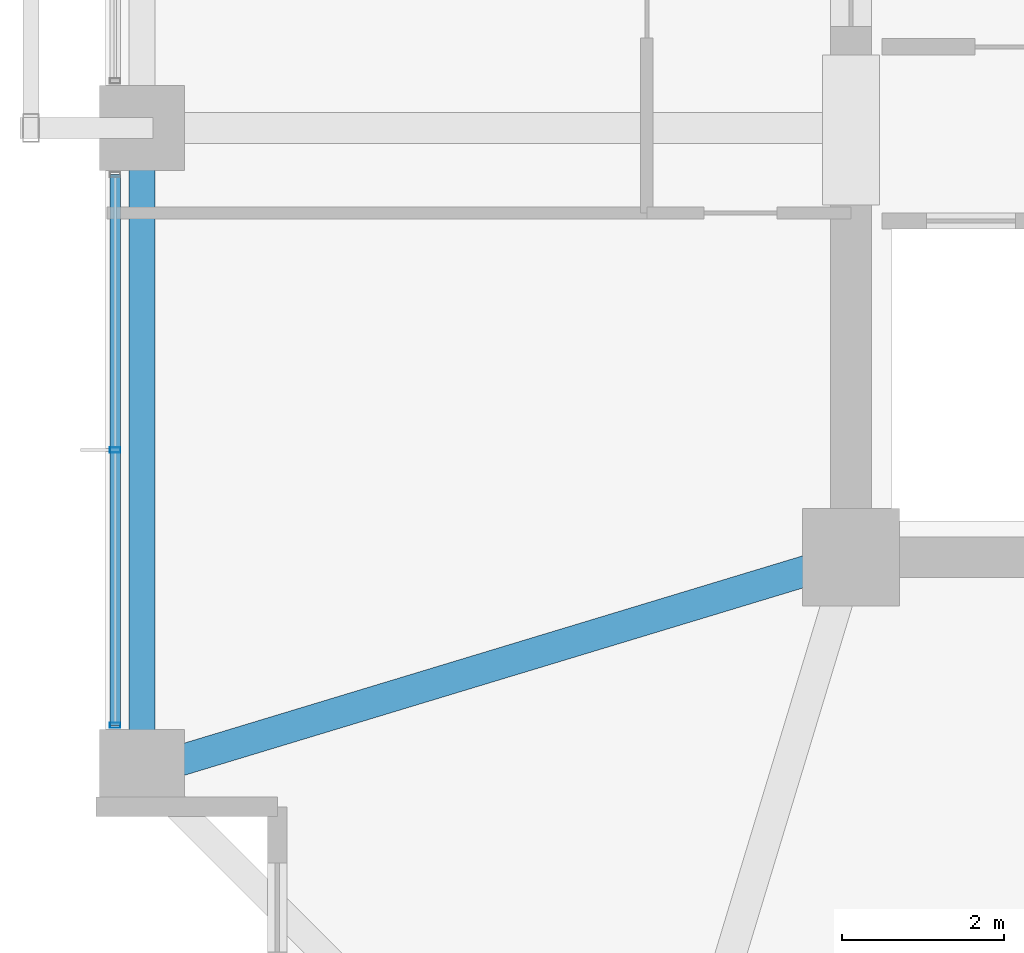
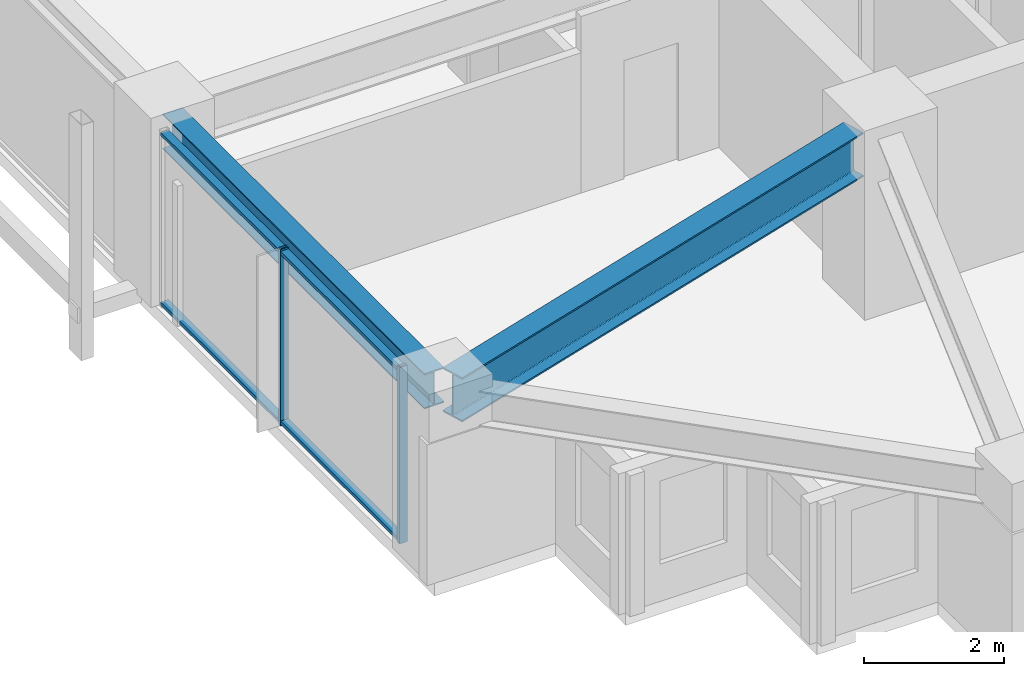
# One storey, part 3 of 34: 4 members, 2 beams, 1 element without a shape of its own.
"""IFC4 building model written with IfcOpenShell, lengths in metres."""

from ifc_helpers import new_model, si_unit, direction, frame, origin, origin_2d, place, context, subcontext, project, spatial, hollow_rectangle, i_section, extrude, material, material_profile, profile_set, type_object, element, aggregate, save


model = new_model("IFC4")

# Units and contexts
model_context = context("Model", 3, precision=1e-05, world=origin(), true_north=direction((0.0, 1.0)))
body_context = subcontext(model_context, "Body", "Model", "MODEL_VIEW")
ifc_project = project(units=[si_unit("LENGTHUNIT", "METRE"), si_unit("AREAUNIT", "SQUARE_METRE"), si_unit("VOLUMEUNIT", "CUBIC_METRE"), si_unit("PLANEANGLEUNIT", "RADIAN"), si_unit("MASSUNIT", "GRAM", prefix="KILO")], contexts=[model_context])

# Site, building, storey
site_placement = place(None, origin())
site = spatial("IfcSite", under=ifc_project, at=site_placement, CompositionType="ELEMENT")
building_placement = place(site_placement, origin())
building = spatial("IfcBuilding", under=site, at=building_placement, Name="Kolvaren Belvedere", CompositionType="ELEMENT")
storey_placement = place(building_placement, frame((0.0, 0.0, 111.800048828125)))
storey = spatial("IfcBuildingStorey", under=building, at=storey_placement, Name="L32", CompositionType="ELEMENT", Elevation=111.800048828125)

# Beams
ifc_material_1 = material(Name="Structural steel ASTM A992 Grade 50", Category="steel")
ifc_material_profile_1 = material_profile(ifc_material_1, i_section(OverallWidth=0.381103515625, OverallDepth=0.77294921875, WebThickness=0.0166015625, FlangeThickness=0.027099609375, FilletRadius=0.02392578125, at=origin_2d()), Name="W30X173")
ifc_profile_set_1 = profile_set([ifc_material_profile_1], Name="Structural steel ASTM A992 Grade 50")
beam_type_1 = type_object("IfcBeamType", Name="BM-GIRD-W30X173", PredefinedType="BEAM", material=ifc_profile_set_1)
beam_1_placement = place(storey_placement, frame((-10.426513671875, -10.059326171875, 2.693359375), z_axis=(-0.957069465398, -0.289858652454, 0.0), x_axis=(0.289858652454, -0.957069465398, 0.0)))
element("IfcBeam", 1, at=beam_1_placement, inside=storey, type_object=beam_type_1, Name="L32 Corner Core-to-Perimeter Girder CC1-W1", PredefinedType="BEAM", context=body_context, shape_type="SweptSolid", body=[
    extrude(i_section(OverallWidth=0.381103515625, OverallDepth=0.77294921875, WebThickness=0.0166015625, FlangeThickness=0.027099609375, FilletRadius=0.02392578125, at=origin_2d()), origin(), (0.0, 0.0, 1.0), 8.38232421875),
])
ifc_material_2 = material(Name="Structural steel ASTM A992 Grade 50", Category="steel")
ifc_material_profile_2 = material_profile(ifc_material_2, i_section(OverallWidth=0.324951171875, OverallDepth=0.615966796875, WebThickness=0.013916015625, FlangeThickness=0.021484375, FilletRadius=0.02001953125, at=origin_2d()), Name="W24X117")
ifc_profile_set_2 = profile_set([ifc_material_profile_2], Name="Structural steel ASTM A992 Grade 50")
beam_type_2 = type_object("IfcBeamType", Name="BM-SPAN-W24X117", PredefinedType="SPANDREL", material=ifc_profile_set_2)
beam_2_placement = place(storey_placement, frame((-18.64990234375, -4.836181640625, 2.77197265625), z_axis=(0.0, -1.0, 0.0), x_axis=(1.0, 0.0, 0.0)))
element("IfcBeam", 2, at=beam_2_placement, inside=storey, type_object=beam_type_2, Name="L32 Perimeter Spandrel W2-W1", PredefinedType="SPANDREL", context=body_context, shape_type="SweptSolid", body=[
    extrude(i_section(OverallWidth=0.324951171875, OverallDepth=0.615966796875, WebThickness=0.013916015625, FlangeThickness=0.021484375, FilletRadius=0.02001953125, at=origin_2d()), origin(), (0.0, 0.0, 1.0), 7.4775390625),
])

# Curtain wall, members
ifc_material_3 = material(Name="Anodised pale-metal aluminium AA 6063-T6", Category="aluminium")
curtain_wall_type = type_object("IfcCurtainWallType", Name="CW-Z3-WAIST", PredefinedType="NOTDEFINED", material=ifc_material_3)
curtain_wall_placement = place(storey_placement, origin())
curtain_wall = element("IfcCurtainWall", 3, at=curtain_wall_placement, inside=storey, type_object=curtain_wall_type, Name="L32 Unitised Curtain Wall FCW-L32-W-B1", PredefinedType="NOTDEFINED")
ifc_material_4 = material(Name="Anodised pale-metal aluminium AA 6063-T6", Category="aluminium")
ifc_material_profile_3 = material_profile(ifc_material_4, hollow_rectangle(XDim=0.06494140625, YDim=0.1298828125, WallThickness=0.00390625, at=origin_2d()), Name="ALU-MUL-130X65")
ifc_profile_set_3 = profile_set([ifc_material_profile_3], Name="Anodised pale-metal aluminium AA 6063-T6")
member_type_1 = type_object("IfcMemberType", Name="CW-MUL-130", PredefinedType="MULLION", material=ifc_profile_set_3)
member_1_placement = place(storey_placement, frame((-18.97998046875, -11.972412109375, 0.0), z_axis=(0.0, 0.0, 1.0), x_axis=(0.0, 1.0, 0.0)))
member_1 = element("IfcMember", 4, at=member_1_placement, type_object=member_type_1, Name="FCW-L32-W-B1 Unitised Mullion 1", PredefinedType="MULLION", context=body_context, shape_type="SweptSolid", body=[
    extrude(hollow_rectangle(XDim=0.06494140625, YDim=0.1298828125, WallThickness=0.00390625, at=origin_2d()), origin(), (0.0, 0.0, 1.0), 3.079833984375),
])
member_2_placement = place(storey_placement, frame((-18.97998046875, -8.574951171875, 0.0), z_axis=(0.0, 0.0, 1.0), x_axis=(0.0, 1.0, 0.0)))
member_2 = element("IfcMember", 5, at=member_2_placement, type_object=member_type_1, Name="FCW-L32-W-B1 Unitised Mullion 2", PredefinedType="MULLION", context=body_context, shape_type="SweptSolid", body=[
    extrude(hollow_rectangle(XDim=0.06494140625, YDim=0.1298828125, WallThickness=0.00390625, at=origin_2d()), origin(), (0.0, 0.0, 1.0), 3.079833984375),
])
ifc_material_5 = material(Name="Anodised pale-metal aluminium AA 6063-T6", Category="aluminium")
ifc_material_profile_4 = material_profile(ifc_material_5, hollow_rectangle(XDim=0.06005859375, YDim=0.1298828125, WallThickness=0.00390625, at=origin_2d()), Name="ALU-TRN-130X60")
ifc_profile_set_4 = profile_set([ifc_material_profile_4], Name="Anodised pale-metal aluminium AA 6063-T6")
member_type_2 = type_object("IfcMemberType", Name="CW-TRN-130", PredefinedType="USERDEFINED", material=ifc_profile_set_4)
member_3_placement = place(storey_placement, frame((-18.97998046875, -11.972412109375, 0.06005859375), z_axis=(0.0, 1.0, 0.0), x_axis=(0.0, 0.0, 1.0)))
member_3 = element("IfcMember", 6, at=member_3_placement, type_object=member_type_2, Name="FCW-L32-W-B1 Sill Transom", ObjectType="TRANSOM", PredefinedType="USERDEFINED", context=body_context, shape_type="SweptSolid", body=[
    extrude(hollow_rectangle(XDim=0.06005859375, YDim=0.1298828125, WallThickness=0.00390625, at=origin_2d()), origin(), (0.0, 0.0, 1.0), 6.794921875),
])
member_4_placement = place(storey_placement, frame((-18.97998046875, -11.972412109375, 3.02001953125), z_axis=(0.0, 1.0, 0.0), x_axis=(0.0, 0.0, 1.0)))
member_4 = element("IfcMember", 7, at=member_4_placement, type_object=member_type_2, Name="FCW-L32-W-B1 Head Transom", ObjectType="TRANSOM", PredefinedType="USERDEFINED", context=body_context, shape_type="SweptSolid", body=[
    extrude(hollow_rectangle(XDim=0.06005859375, YDim=0.1298828125, WallThickness=0.00390625, at=origin_2d()), origin(), (0.0, 0.0, 1.0), 6.794921875),
])
aggregate(curtain_wall, [member_1, member_2, member_3, member_4])

save(model, "model.ifc")
